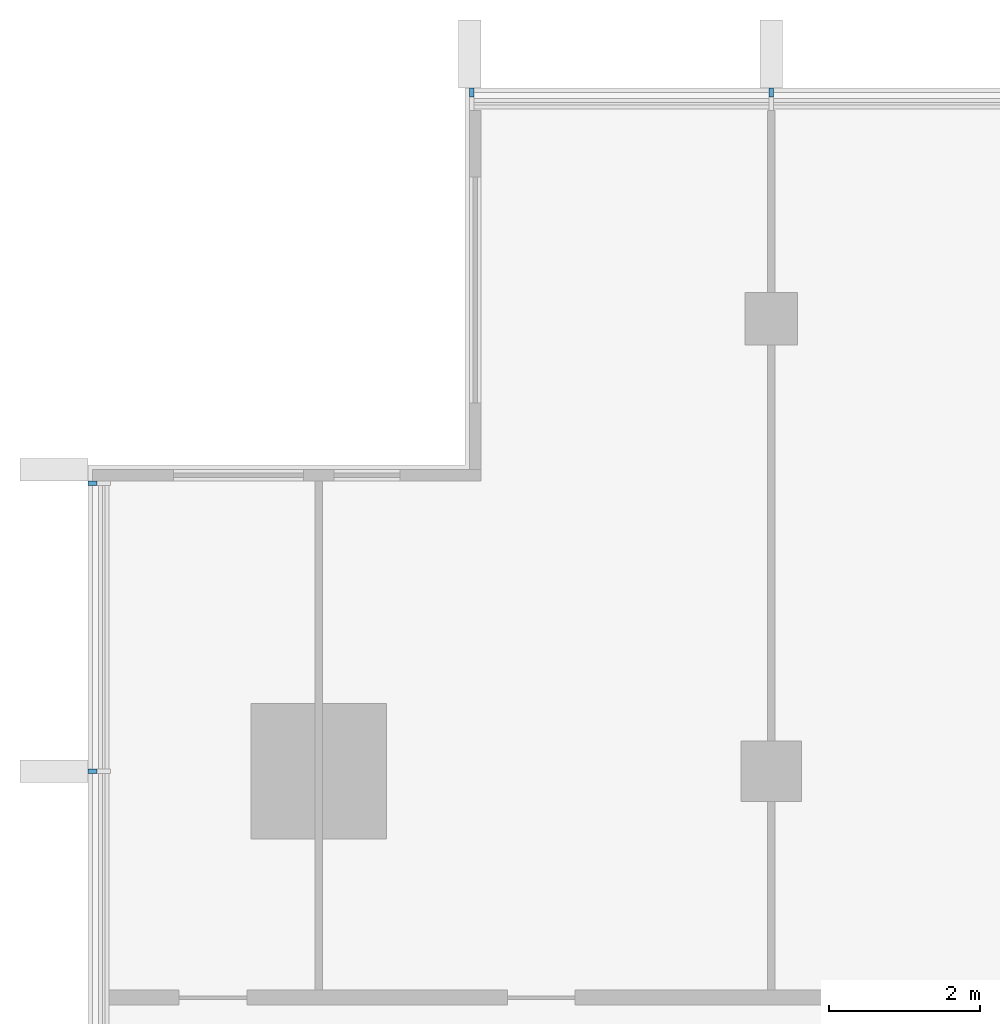
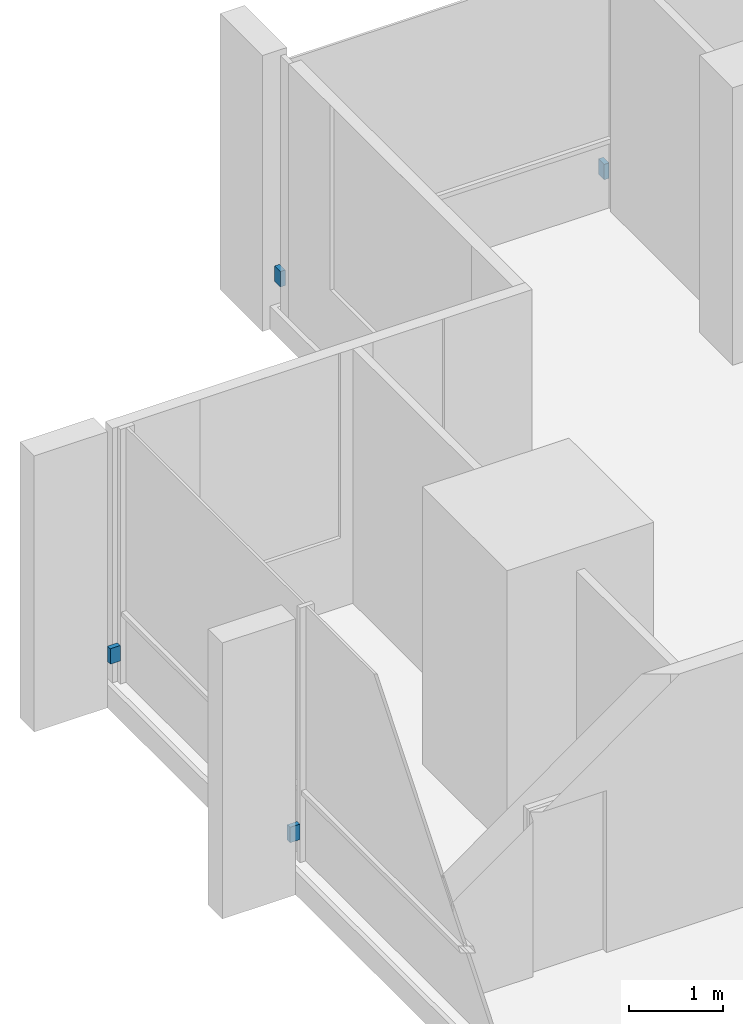
# One storey, part 13 of 15: 4 discrete accessories.
"""IFC4 building model written with IfcOpenShell, lengths in metres."""

from ifc_helpers import new_model, si_unit, direction, frame, origin, origin_2d, place, context, subcontext, project, spatial, rectangle, extrude, material, type_object, element, save


model = new_model("IFC4")

# Units and contexts
model_context = context("Model", 3, precision=1e-05, world=origin(), true_north=direction((0.0, 1.0)))
body_context = subcontext(model_context, "Body", "Model", "MODEL_VIEW")
ifc_project = project(units=[si_unit("LENGTHUNIT", "METRE"), si_unit("AREAUNIT", "SQUARE_METRE"), si_unit("VOLUMEUNIT", "CUBIC_METRE"), si_unit("PLANEANGLEUNIT", "RADIAN"), si_unit("MASSUNIT", "GRAM", prefix="KILO")], contexts=[model_context])

# Site, building, storey
site_placement = place(None, origin())
site = spatial("IfcSite", under=ifc_project, at=site_placement, CompositionType="ELEMENT")
building_placement = place(site_placement, origin())
building = spatial("IfcBuilding", under=site, at=building_placement, Name="Finial Court Residences", CompositionType="ELEMENT")
storey_placement = place(building_placement, frame((0.0, 0.0, 266.300048828125)))
storey = spatial("IfcBuildingStorey", under=building, at=storey_placement, Name="L67", CompositionType="ELEMENT", Elevation=266.300048828125)

# Discrete accessories
ifc_material = material(Name="Stainless steel 316", Category="steel")
discrete_accessory_type = type_object("IfcDiscreteAccessoryType", Name="Fin bracket, stainless steel 60 x 122 x 200", PredefinedType="BRACKET", material=ifc_material)
for number, where, z_axis, x_axis, name in (
    (1, (-14.469970703125, 16.498779296875, 0.2998046875), (0.0, 0.0, 1.0), (1.0, 0.0, 0.0), "E-L67-FIN-N1-BRK"),
    (2, (-10.5, 16.498779296875, 0.2998046875), (0.0, 0.0, 1.0), (1.0, 0.0, 0.0), "E-L67-FIN-N2-BRK"),
):
    element("IfcDiscreteAccessory", number, at=place(storey_placement, frame(where, z_axis=z_axis, x_axis=x_axis)), inside=storey, type_object=discrete_accessory_type, Name=name, PredefinedType="BRACKET", context=body_context, shape_type="SweptSolid", body=[
        extrude(rectangle(XDim=0.06005859375, YDim=0.12255859375, at=origin_2d()), origin(), (0.0, 0.0, 1.0), 0.199951171875),
    ])
for number, where, z_axis, x_axis, name in (
    (3, (-19.498779296875, 7.5, 0.2998046875), (0.0, 0.0, 1.0), (1.0, 0.0, 0.0), "E-L67-FIN-W25-BRK"),
    (4, (-19.498779296875, 11.320068359375, 0.2998046875), (0.0, 0.0, 1.0), (1.0, 0.0, 0.0), "E-L67-FIN-W26-BRK"),
):
    element("IfcDiscreteAccessory", number, at=place(storey_placement, frame(where, z_axis=z_axis, x_axis=x_axis)), inside=storey, type_object=discrete_accessory_type, Name=name, PredefinedType="BRACKET", context=body_context, shape_type="SweptSolid", body=[
        extrude(rectangle(XDim=0.12255859375, YDim=0.06005859375, at=origin_2d()), origin(), (0.0, 0.0, 1.0), 0.199951171875),
    ])

save(model, "model.ifc")
